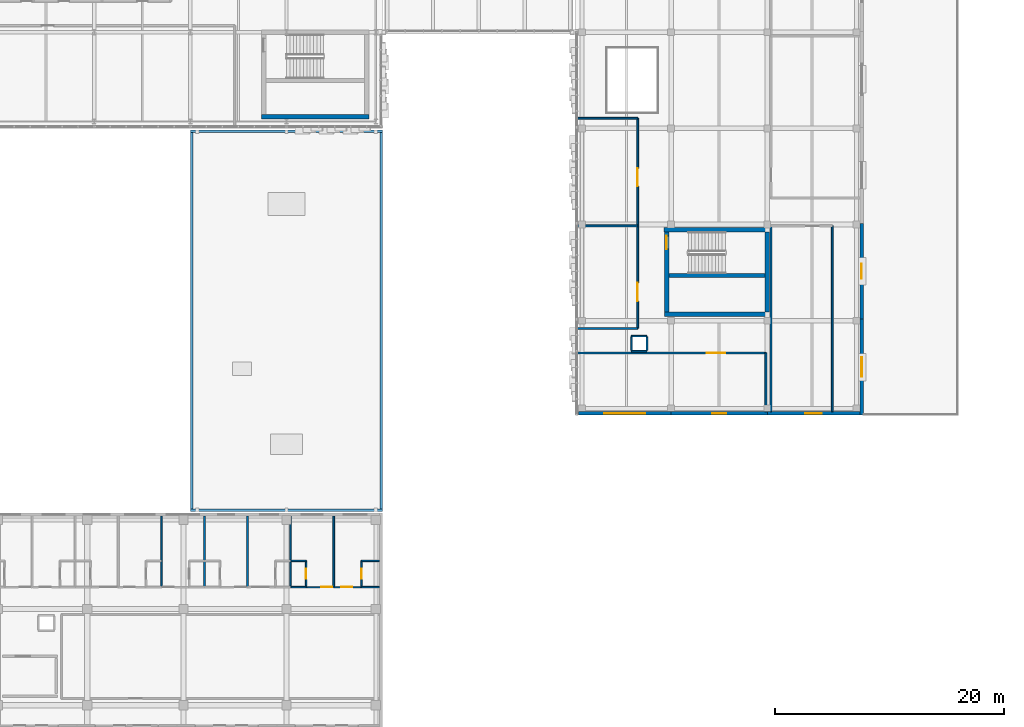
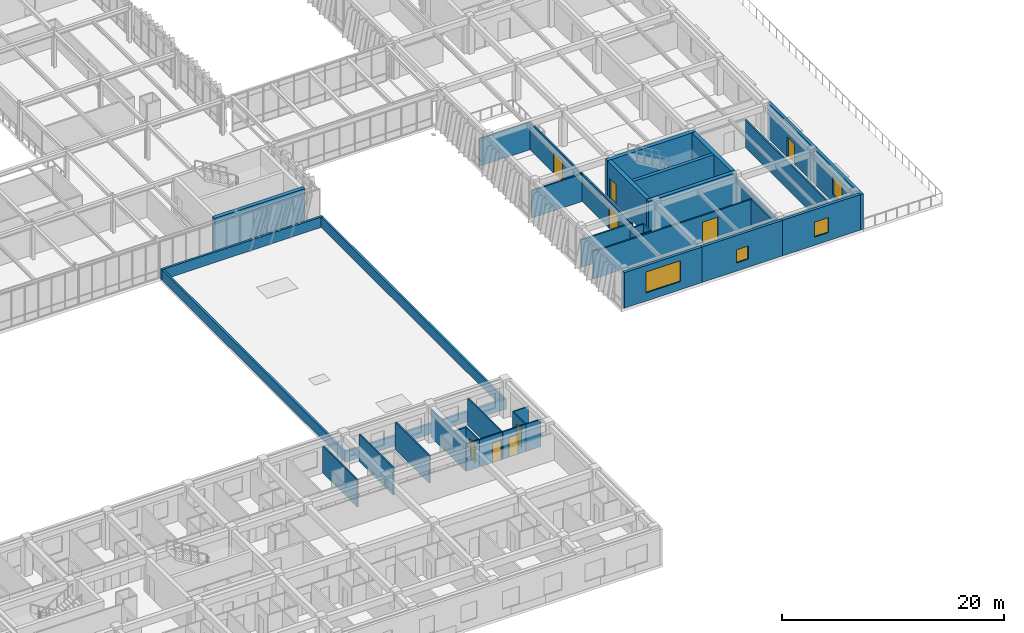
# One storey, part 104 of 127: 41 walls, 9 doors, 4 windows, 13 openings.
"""IFC4 building model written with IfcOpenShell, lengths in metres."""

from ifc_helpers import new_model, si_unit, direction, frame, frame_2d, origin, place, context, subcontext, project, spatial, rectangle, extrude, material, layer, layer_set, type_object, element, fill, save


model = new_model("IFC4")

# Units and contexts
model_context = context("Model", 3, precision=1e-05, world=origin(), true_north=direction((0.0, 1.0)))
body_context = subcontext(model_context, "Body", "Model", "MODEL_VIEW")
ifc_project = project(units=[si_unit("LENGTHUNIT", "METRE"), si_unit("AREAUNIT", "SQUARE_METRE"), si_unit("VOLUMEUNIT", "CUBIC_METRE"), si_unit("PLANEANGLEUNIT", "RADIAN"), si_unit("MASSUNIT", "GRAM", prefix="KILO")], contexts=[model_context])

# Site, building, storey
site_placement = place(None, origin())
site = spatial("IfcSite", under=ifc_project, at=site_placement, CompositionType="ELEMENT")
building_placement = place(site_placement, origin())
building = spatial("IfcBuilding", under=site, at=building_placement, Name="Zayran Congress Hotel", CompositionType="ELEMENT")
storey_placement = place(building_placement, frame((0.0, 0.0, 10.800048828125)))
storey = spatial("IfcBuildingStorey", under=building, at=storey_placement, Name="L02", CompositionType="ELEMENT", Elevation=10.800048828125)

# Wall, opening, window
ifc_material_1 = material(Name="Ajlun white limestone and insulated concrete C32/40", Category="masonry")
ifc_layer_1 = layer(ifc_material_1, 0.300048828125)
ifc_layer_set_1 = layer_set([ifc_layer_1], Name="Ajlun white limestone and insulated concrete C32/40")
wall_type_1 = type_object("IfcWallType", Name="WL-EX-300", PredefinedType="SOLIDWALL", material=ifc_layer_set_1)
wall_1_placement = place(storey_placement, frame((117.60009765625, 42.699951171875, 0.0), z_axis=(0.0, 0.0, 1.0), x_axis=(-1.0, 0.0, 0.0)))
wall_1 = element("IfcWall", 1, at=wall_1_placement, inside=storey, type_object=wall_type_1, Name="EW-V4-S-L02-0", PredefinedType="SOLIDWALL", context=body_context, shape_type="SweptSolid", body=[
    extrude(rectangle(XDim=8.10009765625, YDim=0.300048828125, at=frame_2d((4.050048828125, 0.0))), origin(), (0.0, 0.0, 1.0), 3.919921875),
])
opening_1_placement = place(wall_1_placement, frame((2.25, 0.0, 0.89990234375)))
opening_1 = element("IfcOpeningElement", 2, at=opening_1_placement, cuts=wall_1, Name="Opening WN-21", PredefinedType="OPENING", context=body_context, shape_type="SweptSolid", body=[
    extrude(rectangle(XDim=3.60009765625, YDim=2.300048828125, at=frame_2d((1.800048828125, 1.14990234375))), frame((0.0, 0.159912109375, 0.0), z_axis=(0.0, -1.0, 0.0), x_axis=(1.0, 0.0, 0.0)), (0.0, 0.0, 1.0), 0.320068359375),
])
ifc_material_2 = material(Name="Anodised aluminium and low-E insulated glass", Category="aluminium")
window_type_1 = type_object("IfcWindowType", Name="TP-WN-21", PartitioningType="TRIPLE_PANEL_VERTICAL", PredefinedType="WINDOW", material=ifc_material_2)
window_1_placement = place(opening_1_placement, origin())
window_1 = element("IfcWindow", 3, at=window_1_placement, inside=storey, type_object=window_type_1, Name="WIN-V4-0133", OverallHeight=2.300048828125, OverallWidth=3.60009765625, PartitioningType="SINGLE_PANEL", PredefinedType="WINDOW", context=body_context, shape_type="SweptSolid", body=[
    extrude(rectangle(XDim=3.60009765625, YDim=2.300048828125, at=frame_2d((1.800048828125, 1.14990234375))), frame((0.0, 0.030029296875, 0.0), z_axis=(0.0, -1.0, 0.0), x_axis=(1.0, 0.0, 0.0)), (0.0, 0.0, 1.0), 0.06005859375),
])
fill(opening_1, window_1)

wall_2_placement = place(storey_placement, frame((126.0, 42.699951171875, 0.0), z_axis=(0.0, 0.0, 1.0), x_axis=(-1.0, 0.0, 0.0)))
wall_2 = element("IfcWall", 4, at=wall_2_placement, inside=storey, type_object=wall_type_1, Name="EW-V4-S-L02-1", PredefinedType="SOLIDWALL", context=body_context, shape_type="SweptSolid", body=[
    extrude(rectangle(XDim=8.39990234375, YDim=0.300048828125, at=frame_2d((4.199951171875, 0.0))), origin(), (0.0, 0.0, 1.0), 3.919921875),
])
opening_2_placement = place(wall_2_placement, frame((3.574951171875, 0.0, 0.89990234375)))
opening_2 = element("IfcOpeningElement", 5, at=opening_2_placement, cuts=wall_2, Name="Opening WN-23", PredefinedType="OPENING", context=body_context, shape_type="SweptSolid", body=[
    extrude(rectangle(XDim=1.25, YDim=1.449951171875, at=frame_2d((0.625, 0.72509765625))), frame((0.0, 0.159912109375, 0.0), z_axis=(0.0, -1.0, 0.0), x_axis=(1.0, 0.0, 0.0)), (0.0, 0.0, 1.0), 0.320068359375),
])
window_type_2 = type_object("IfcWindowType", Name="TP-WN-23", PartitioningType="SINGLE_PANEL", PredefinedType="WINDOW", material=ifc_material_2)
window_2_placement = place(opening_2_placement, origin())
window_2 = element("IfcWindow", 6, at=window_2_placement, inside=storey, type_object=window_type_2, Name="WIN-V4-0135", OverallHeight=1.449951171875, OverallWidth=1.25, PartitioningType="SINGLE_PANEL", PredefinedType="WINDOW", context=body_context, shape_type="SweptSolid", body=[
    extrude(rectangle(XDim=1.25, YDim=1.449951171875, at=frame_2d((0.625, 0.72509765625))), frame((0.0, 0.030029296875, 0.0), z_axis=(0.0, -1.0, 0.0), x_axis=(1.0, 0.0, 0.0)), (0.0, 0.0, 1.0), 0.06005859375),
])
fill(opening_2, window_2)

wall_3_placement = place(storey_placement, frame((134.10009765625, 42.699951171875, 0.0), z_axis=(0.0, 0.0, 1.0), x_axis=(-1.0, 0.0, 0.0)))
wall_3 = element("IfcWall", 7, at=wall_3_placement, inside=storey, type_object=wall_type_1, Name="EW-V4-S-L02-2", PredefinedType="SOLIDWALL", context=body_context, shape_type="SweptSolid", body=[
    extrude(rectangle(XDim=8.10009765625, YDim=0.300048828125, at=frame_2d((4.050048828125, 0.0))), origin(), (0.0, 0.0, 1.0), 3.919921875),
])
opening_3_placement = place(wall_3_placement, frame((3.324951171875, 0.0, 0.89990234375)))
opening_3 = element("IfcOpeningElement", 8, at=opening_3_placement, cuts=wall_3, Name="Opening WN-25", PredefinedType="OPENING", context=body_context, shape_type="SweptSolid", body=[
    extrude(rectangle(XDim=1.449951171875, YDim=1.64990234375, at=frame_2d((0.72509765625, 0.824951171875))), frame((0.0, 0.159912109375, 0.0), z_axis=(0.0, -1.0, 0.0), x_axis=(1.0, 0.0, 0.0)), (0.0, 0.0, 1.0), 0.320068359375),
])
window_type_3 = type_object("IfcWindowType", Name="TP-WN-25", PartitioningType="SINGLE_PANEL", PredefinedType="WINDOW", material=ifc_material_2)
window_3_placement = place(opening_3_placement, origin())
window_3 = element("IfcWindow", 9, at=window_3_placement, inside=storey, type_object=window_type_3, Name="WIN-V4-0137", OverallHeight=1.64990234375, OverallWidth=1.449951171875, PartitioningType="SINGLE_PANEL", PredefinedType="WINDOW", context=body_context, shape_type="SweptSolid", body=[
    extrude(rectangle(XDim=1.449951171875, YDim=1.64990234375, at=frame_2d((0.72509765625, 0.824951171875))), frame((0.0, 0.030029296875, 0.0), z_axis=(0.0, -1.0, 0.0), x_axis=(1.0, 0.0, 0.0)), (0.0, 0.0, 1.0), 0.06005859375),
])
fill(opening_3, window_3)

wall_4_placement = place(storey_placement, frame((134.25, 50.930908203125, 0.0), z_axis=(0.0, 0.0, 1.0), x_axis=(0.0, -1.0, 0.0)))
wall_4 = element("IfcWall", 10, at=wall_4_placement, inside=storey, type_object=wall_type_1, Name="EW-V4-E-L02-0", PredefinedType="SOLIDWALL", context=body_context, shape_type="SweptSolid", body=[
    extrude(rectangle(XDim=8.380859375, YDim=0.300048828125, at=frame_2d((4.1904296875, 0.0))), origin(), (0.0, 0.0, 1.0), 3.919921875),
])
opening_4_placement = place(wall_4_placement, frame((3.341064453125, 0.0, 0.89990234375)))
opening_4 = element("IfcOpeningElement", 11, at=opening_4_placement, cuts=wall_4, Name="Opening WN-27", PredefinedType="OPENING", context=body_context, shape_type="SweptSolid", body=[
    extrude(rectangle(XDim=1.699951171875, YDim=2.0, at=frame_2d((0.85009765625, 1.0))), frame((0.0, 0.159912109375, 0.0), z_axis=(0.0, -1.0, 0.0), x_axis=(1.0, 0.0, 0.0)), (0.0, 0.0, 1.0), 0.320068359375),
])
window_type_4 = type_object("IfcWindowType", Name="TP-WN-27", PartitioningType="DOUBLE_PANEL_VERTICAL", PredefinedType="WINDOW", material=ifc_material_2)
window_4_placement = place(opening_4_placement, origin())
window_4 = element("IfcWindow", 12, at=window_4_placement, inside=storey, type_object=window_type_4, Name="WIN-V4-0139", OverallHeight=2.0, OverallWidth=1.699951171875, PartitioningType="SINGLE_PANEL", PredefinedType="WINDOW", context=body_context, shape_type="SweptSolid", body=[
    extrude(rectangle(XDim=1.699951171875, YDim=2.0, at=frame_2d((0.85009765625, 1.0))), frame((0.0, 0.030029296875, 0.0), z_axis=(0.0, -1.0, 0.0), x_axis=(1.0, 0.0, 0.0)), (0.0, 0.0, 1.0), 0.06005859375),
])
fill(opening_4, window_4)

# Wall, opening, door
wall_5_placement = place(storey_placement, frame((134.25, 59.31201171875, 0.0), z_axis=(0.0, 0.0, 1.0), x_axis=(0.0, -1.0, 0.0)))
wall_5 = element("IfcWall", 13, at=wall_5_placement, inside=storey, type_object=wall_type_1, Name="EW-V4-E-L02-1", PredefinedType="SOLIDWALL", context=body_context, shape_type="SweptSolid", body=[
    extrude(rectangle(XDim=8.381103515625, YDim=0.300048828125, at=frame_2d((4.1904296875, 0.0))), origin(), (0.0, 0.0, 1.0), 3.919921875),
])
opening_5_placement = place(wall_5_placement, frame((3.51611328125, 0.0, 0.0)))
opening_5 = element("IfcOpeningElement", 14, at=opening_5_placement, cuts=wall_5, Name="Opening DEX-05", PredefinedType="OPENING", context=body_context, shape_type="SweptSolid", body=[
    extrude(rectangle(XDim=1.35009765625, YDim=2.25, at=frame_2d((0.675048828125, 1.125))), frame((0.0, 0.159912109375, 0.0), z_axis=(0.0, -1.0, 0.0), x_axis=(1.0, 0.0, 0.0)), (0.0, 0.0, 1.0), 0.320068359375),
])
ifc_material_3 = material(Name="Anodised aluminium terrace door", Category="aluminium")
door_type_1 = type_object("IfcDoorType", Name="TP-DEX-05", OperationType="DOUBLE_DOOR_SINGLE_SWING", PredefinedType="DOOR", material=ifc_material_3)
door_1_placement = place(opening_5_placement, origin())
door_1 = element("IfcDoor", 15, at=door_1_placement, inside=storey, type_object=door_type_1, Name="V4 L02 Roof Terrace Door", OperationType="DOUBLE_DOOR_SINGLE_SWING", OverallHeight=2.25, OverallWidth=1.35009765625, PredefinedType="DOOR", context=body_context, shape_type="SweptSolid", body=[
    extrude(rectangle(XDim=1.35009765625, YDim=2.25, at=frame_2d((0.675048828125, 1.125))), frame((0.0, 0.02490234375, 0.0), z_axis=(0.0, -1.0, 0.0), x_axis=(1.0, 0.0, 0.0)), (0.0, 0.0, 1.0), 0.050048828125),
])
fill(opening_5, door_1)

# Walls
ifc_material_4 = material(Name="Concrete C32/40 with limestone coping", Category="masonry")
ifc_layer_2 = layer(ifc_material_4, 0.219970703125)
ifc_layer_set_2 = layer_set([ifc_layer_2], Name="Concrete C32/40 with limestone coping")
wall_type_2 = type_object("IfcWallType", Name="WL-PR-220", PredefinedType="PARAPET", material=ifc_layer_set_2)
for number, where, z_axis, x_axis, name in (
    (16, (75.60009765625, 34.260009765625, 0.0), (0.0, 0.0, 1.0), (1.0, 0.0, 0.0), "PAR-BR2-L02-S"),
    (17, (92.39990234375, 67.340087890625, 0.0), (0.0, 0.0, 1.0), (-1.0, 0.0, 0.0), "PAR-BR2-L02-N"),
):
    element("IfcWall", number, at=place(storey_placement, frame(where, z_axis=z_axis, x_axis=x_axis)), inside=storey, type_object=wall_type_2, Name=name, PredefinedType="PARAPET", context=body_context, shape_type="SweptSolid", body=[
        extrude(rectangle(XDim=16.7998046875, YDim=0.219970703125, at=frame_2d((8.39990234375, 0.0))), origin(), (0.0, 0.0, 1.0), 1.14990234375),
    ])
for number, where, z_axis, x_axis, name in (
    (18, (75.7099609375, 67.22998046875, 0.0), (0.0, 0.0, 1.0), (0.0, -1.0, 0.0), "PAR-BR2-L02-W"),
    (19, (92.2900390625, 34.3701171875, 0.0), (0.0, 0.0, 1.0), (0.0, 1.0, 0.0), "PAR-BR2-L02-E"),
):
    element("IfcWall", number, at=place(storey_placement, frame(where, z_axis=z_axis, x_axis=x_axis)), inside=storey, type_object=wall_type_2, Name=name, PredefinedType="PARAPET", context=body_context, shape_type="SweptSolid", body=[
        extrude(rectangle(XDim=32.85986328125, YDim=0.219970703125, at=frame_2d((16.429931640625, 0.0))), origin(), (0.0, 0.0, 1.0), 1.14990234375),
    ])
ifc_material_5 = material(Name="Concrete C40/50", Category="concrete")
ifc_layer_3 = layer(ifc_material_5, 0.39990234375)
ifc_layer_set_3 = layer_set([ifc_layer_3], Name="Concrete C40/50")
wall_type_3 = type_object("IfcWallType", Name="WL-SH-400", PredefinedType="SHEAR", material=ifc_layer_set_3)
wall_6_placement = place(storey_placement, frame((81.800048828125, 68.60009765625, 0.0), z_axis=(0.0, 0.0, 1.0), x_axis=(1.0, 0.0, 0.0)))
element("IfcWall", 20, at=wall_6_placement, inside=storey, type_object=wall_type_3, Name="CWALL-C-V1F-L02-S", PredefinedType="SHEAR", context=body_context, shape_type="SweptSolid", body=[
    extrude(rectangle(XDim=9.39990234375, YDim=0.39990234375, at=frame_2d((4.699951171875, 0.0))), origin(), (0.0, 0.0, 1.0), 3.919921875),
])
for number, where, z_axis, x_axis, name in (
    (21, (117.0, 51.35009765625, 0.0), (0.0, 0.0, 1.0), (1.0, 0.0, 0.0), "CWALL-C-V4S-L02-S"),
    (22, (126.199951171875, 58.735107421875, 0.0), (0.0, 0.0, 1.0), (-1.0, 0.0, 0.0), "CWALL-C-V4S-L02-N"),
):
    element("IfcWall", number, at=place(storey_placement, frame(where, z_axis=z_axis, x_axis=x_axis)), inside=storey, type_object=wall_type_3, Name=name, PredefinedType="SHEAR", context=body_context, shape_type="SweptSolid", body=[
        extrude(rectangle(XDim=9.199951171875, YDim=0.39990234375, at=frame_2d((4.60009765625, 0.0))), origin(), (0.0, 0.0, 1.0), 3.919921875),
    ])

# Wall, opening, door
wall_7_placement = place(storey_placement, frame((117.199951171875, 58.550048828125, 0.0), z_axis=(0.0, 0.0, 1.0), x_axis=(0.0, -1.0, 0.0)))
wall_7 = element("IfcWall", 23, at=wall_7_placement, inside=storey, type_object=wall_type_3, Name="CWALL-C-V4S-L02-W", PredefinedType="SHEAR", context=body_context, shape_type="SweptSolid", body=[
    extrude(rectangle(XDim=7.0, YDim=0.39990234375, at=frame_2d((3.5, 0.0))), origin(), (0.0, 0.0, 1.0), 3.919921875),
])
opening_6_placement = place(wall_7_placement, frame((0.35009765625, 0.0, 0.0)))
opening_6 = element("IfcOpeningElement", 24, at=opening_6_placement, cuts=wall_7, Name="Opening DR-FD-90", PredefinedType="OPENING", context=body_context, shape_type="SweptSolid", body=[
    extrude(rectangle(XDim=1.14990234375, YDim=2.199951171875, at=frame_2d((0.574951171875, 1.10009765625))), frame((0.0, 0.2099609375, 0.0), z_axis=(0.0, -1.0, 0.0), x_axis=(1.0, 0.0, 0.0)), (0.0, 0.0, 1.0), 0.419921875),
])
ifc_material_6 = material(Name="Painted steel fire door assembly", Category="steel")
door_type_2 = type_object("IfcDoorType", Name="TP-DR-FD-90", OperationType="NOTDEFINED", PredefinedType="DOOR", material=ifc_material_6)
door_2_placement = place(opening_6_placement, origin())
door_2 = element("IfcDoor", 25, at=door_2_placement, inside=storey, type_object=door_type_2, Name="ST-08 Exit Stair Door L02", OperationType="SINGLE_SWING_LEFT", OverallHeight=2.199951171875, OverallWidth=1.14990234375, PredefinedType="DOOR", context=body_context, shape_type="SweptSolid", body=[
    extrude(rectangle(XDim=1.14990234375, YDim=2.199951171875, at=frame_2d((0.574951171875, 1.10009765625))), frame((0.0, 0.02490234375, 0.0), z_axis=(0.0, -1.0, 0.0), x_axis=(1.0, 0.0, 0.0)), (0.0, 0.0, 1.0), 0.050048828125),
])
fill(opening_6, door_2)

# Walls
wall_8_placement = place(storey_placement, frame((126.0, 51.550048828125, 0.0), z_axis=(0.0, 0.0, 1.0), x_axis=(0.0, 1.0, 0.0)))
element("IfcWall", 26, at=wall_8_placement, inside=storey, type_object=wall_type_3, Name="CWALL-C-V4S-L02-E", PredefinedType="SHEAR", context=body_context, shape_type="SweptSolid", body=[
    extrude(rectangle(XDim=7.0, YDim=0.39990234375, at=frame_2d((3.5, 0.0))), origin(), (0.0, 0.0, 1.0), 3.919921875),
])
ifc_layer_4 = layer(ifc_material_5, 0.35009765625)
ifc_layer_set_4 = layer_set([ifc_layer_4], Name="Concrete C40/50")
wall_type_4 = type_object("IfcWallType", Name="WL-SH-350", PredefinedType="SHEAR", material=ifc_layer_set_4)
wall_9_placement = place(storey_placement, frame((117.39990234375, 54.735107421875, 0.0), z_axis=(0.0, 0.0, 1.0), x_axis=(1.0, 0.0, 0.0)))
element("IfcWall", 27, at=wall_9_placement, inside=storey, type_object=wall_type_4, Name="CWALL-C-V4S-L02-SPN", PredefinedType="SHEAR", context=body_context, shape_type="SweptSolid", body=[
    extrude(rectangle(XDim=8.400146484375, YDim=0.35009765625, at=frame_2d((4.2001953125, 0.0))), origin(), (0.0, 0.0, 1.0), 3.919921875),
])

# Wall, opening, door
ifc_material_7 = material(Name="Acoustic twin-stud gypsum partition", Category="gypsum")
ifc_layer_5 = layer(ifc_material_7, 0.159912109375)
ifc_layer_set_5 = layer_set([ifc_layer_5], Name="Acoustic twin-stud gypsum partition")
wall_type_5 = type_object("IfcWallType", Name="WL-PT-160", PredefinedType="PARTITIONING", material=ifc_layer_set_5)
wall_10_placement = place(storey_placement, frame((109.360107421875, 47.97998046875, 0.0), z_axis=(0.0, 0.0, 1.0), x_axis=(1.0, 0.0, 0.0)))
wall_10 = element("IfcWall", 28, at=wall_10_placement, inside=storey, type_object=wall_type_5, Name="IW-L02-0503", PredefinedType="PARTITIONING", context=body_context, shape_type="SweptSolid", body=[
    extrude(rectangle(XDim=16.519775390625, YDim=0.159912109375, at=frame_2d((8.259765625, 0.0))), origin(), (0.0, 0.0, 1.0), 3.02001953125),
])
opening_7_placement = place(wall_10_placement, frame((11.368896484375, 0.0, 0.0)))
opening_7 = element("IfcOpeningElement", 29, at=opening_7_placement, cuts=wall_10, Name="Opening DR-MT-02", PredefinedType="OPENING", context=body_context, shape_type="SweptSolid", body=[
    extrude(rectangle(XDim=1.60009765625, YDim=2.300048828125, at=frame_2d((0.800048828125, 1.14990234375))), frame((0.0, 0.08984375, 0.0), z_axis=(0.0, -1.0, 0.0), x_axis=(1.0, 0.0, 0.0)), (0.0, 0.0, 1.0), 0.179931640625),
])
ifc_material_8 = material(Name="Double acoustic timber boardroom door", Category="wood")
door_type_3 = type_object("IfcDoorType", Name="TP-DR-MT-02", OperationType="DOUBLE_DOOR_SINGLE_SWING", PredefinedType="DOOR", material=ifc_material_8)
door_3_placement = place(opening_7_placement, origin())
door_3 = element("IfcDoor", 30, at=door_3_placement, inside=storey, type_object=door_type_3, Name="Boardroom L02-01 Door", OperationType="DOUBLE_DOOR_SINGLE_SWING", OverallHeight=2.300048828125, OverallWidth=1.60009765625, PredefinedType="DOOR", context=body_context, shape_type="SweptSolid", body=[
    extrude(rectangle(XDim=1.60009765625, YDim=2.300048828125, at=frame_2d((0.800048828125, 1.14990234375))), frame((0.0, 0.02490234375, 0.0), z_axis=(0.0, -1.0, 0.0), x_axis=(1.0, 0.0, 0.0)), (0.0, 0.0, 1.0), 0.050048828125),
])
fill(opening_7, door_3)

wall_11_placement = place(storey_placement, frame((114.679931640625, 50.1201171875, 0.0), z_axis=(0.0, 0.0, 1.0), x_axis=(0.0, 1.0, 0.0)))
wall_11 = element("IfcWall", 31, at=wall_11_placement, inside=storey, type_object=wall_type_5, Name="IW-L02-0504", PredefinedType="PARTITIONING", context=body_context, shape_type="SweptSolid", body=[
    extrude(rectangle(XDim=8.9599609375, YDim=0.159912109375, at=frame_2d((4.47998046875, 0.0))), origin(), (0.0, 0.0, 1.0), 3.02001953125),
])
opening_8_placement = place(wall_11_placement, frame((2.3798828125, 0.0, 0.0)))
opening_8 = element("IfcOpeningElement", 32, at=opening_8_placement, cuts=wall_11, Name="Opening DR-MT-02", PredefinedType="OPENING", context=body_context, shape_type="SweptSolid", body=[
    extrude(rectangle(XDim=1.60009765625, YDim=2.300048828125, at=frame_2d((0.800048828125, 1.14990234375))), frame((0.0, 0.08984375, 0.0), z_axis=(0.0, -1.0, 0.0), x_axis=(1.0, 0.0, 0.0)), (0.0, 0.0, 1.0), 0.179931640625),
])
door_4_placement = place(opening_8_placement, origin())
door_4 = element("IfcDoor", 33, at=door_4_placement, inside=storey, type_object=door_type_3, Name="Boardroom L02-02 Door", OperationType="DOUBLE_DOOR_SINGLE_SWING", OverallHeight=2.300048828125, OverallWidth=1.60009765625, PredefinedType="DOOR", context=body_context, shape_type="SweptSolid", body=[
    extrude(rectangle(XDim=1.60009765625, YDim=2.300048828125, at=frame_2d((0.800048828125, 1.14990234375))), frame((0.0, 0.02490234375, 0.0), z_axis=(0.0, -1.0, 0.0), x_axis=(1.0, 0.0, 0.0)), (0.0, 0.0, 1.0), 0.050048828125),
])
fill(opening_8, door_4)

wall_12_placement = place(storey_placement, frame((114.679931640625, 59.1201171875, 0.0), z_axis=(0.0, 0.0, 1.0), x_axis=(0.0, 1.0, 0.0)))
wall_12 = element("IfcWall", 34, at=wall_12_placement, inside=storey, type_object=wall_type_5, Name="IW-L02-0506", PredefinedType="PARTITIONING", context=body_context, shape_type="SweptSolid", body=[
    extrude(rectangle(XDim=9.35986328125, YDim=0.159912109375, at=frame_2d((4.679931640625, 0.0))), origin(), (0.0, 0.0, 1.0), 3.02001953125),
])
opening_9_placement = place(wall_12_placement, frame((3.412109375, 0.0, 0.0)))
opening_9 = element("IfcOpeningElement", 35, at=opening_9_placement, cuts=wall_12, Name="Opening DR-MT-02", PredefinedType="OPENING", context=body_context, shape_type="SweptSolid", body=[
    extrude(rectangle(XDim=1.60009765625, YDim=2.300048828125, at=frame_2d((0.800048828125, 1.14990234375))), frame((0.0, 0.08984375, 0.0), z_axis=(0.0, -1.0, 0.0), x_axis=(1.0, 0.0, 0.0)), (0.0, 0.0, 1.0), 0.179931640625),
])
door_5_placement = place(opening_9_placement, origin())
door_5 = element("IfcDoor", 36, at=door_5_placement, inside=storey, type_object=door_type_3, Name="Boardroom L02-03 Door", OperationType="DOUBLE_DOOR_SINGLE_SWING", OverallHeight=2.300048828125, OverallWidth=1.60009765625, PredefinedType="DOOR", context=body_context, shape_type="SweptSolid", body=[
    extrude(rectangle(XDim=1.60009765625, YDim=2.300048828125, at=frame_2d((0.800048828125, 1.14990234375))), frame((0.0, 0.02490234375, 0.0), z_axis=(0.0, -1.0, 0.0), x_axis=(1.0, 0.0, 0.0)), (0.0, 0.0, 1.0), 0.050048828125),
])
fill(opening_9, door_5)

# Walls
wall_13_placement = place(storey_placement, frame((125.8798828125, 42.85009765625, 0.0), z_axis=(0.0, 0.0, 1.0), x_axis=(0.0, 1.0, 0.0)))
element("IfcWall", 37, at=wall_13_placement, inside=storey, type_object=wall_type_5, Name="IW-L02-1812", PredefinedType="PARTITIONING", context=body_context, shape_type="SweptSolid", body=[
    extrude(rectangle(XDim=5.1298828125, YDim=0.159912109375, at=frame_2d((2.56494140625, 0.0))), origin(), (0.0, 0.0, 1.0), 3.02001953125),
])
for number, where, z_axis, x_axis, name in (
    (38, (109.360107421875, 50.1201171875, 0.0), (0.0, 0.0, 1.0), (1.0, 0.0, 0.0), "IW-L02-1813"),
    (39, (109.360107421875, 59.080078125, 0.0), (0.0, 0.0, 1.0), (1.0, 0.0, 0.0), "IW-L02-1814"),
):
    element("IfcWall", number, at=place(storey_placement, frame(where, z_axis=z_axis, x_axis=x_axis)), inside=storey, type_object=wall_type_5, Name=name, PredefinedType="PARTITIONING", context=body_context, shape_type="SweptSolid", body=[
        extrude(rectangle(XDim=5.31982421875, YDim=0.159912109375, at=frame_2d((2.659912109375, 0.0))), origin(), (0.0, 0.0, 1.0), 3.02001953125),
    ])
for number, where, z_axis, x_axis, name in (
    (40, (126.320068359375, 42.85009765625, 0.0), (0.0, 0.0, 1.0), (0.0, 1.0, 0.0), "IW-L02-1815"),
    (41, (131.679931640625, 42.85009765625, 0.0), (0.0, 0.0, 1.0), (0.0, 1.0, 0.0), "IW-L02-1816"),
):
    element("IfcWall", number, at=place(storey_placement, frame(where, z_axis=z_axis, x_axis=x_axis)), inside=storey, type_object=wall_type_5, Name=name, PredefinedType="PARTITIONING", context=body_context, shape_type="SweptSolid", body=[
        extrude(rectangle(XDim=16.22998046875, YDim=0.159912109375, at=frame_2d((8.114990234375, 0.0))), origin(), (0.0, 0.0, 1.0), 3.02001953125),
    ])
wall_14_placement = place(storey_placement, frame((109.360107421875, 68.47998046875, 0.0), z_axis=(0.0, 0.0, 1.0), x_axis=(1.0, 0.0, 0.0)))
element("IfcWall", 42, at=wall_14_placement, inside=storey, type_object=wall_type_5, Name="IW-L02-1817", PredefinedType="PARTITIONING", context=body_context, shape_type="SweptSolid", body=[
    extrude(rectangle(XDim=5.31982421875, YDim=0.159912109375, at=frame_2d((2.659912109375, 0.0))), origin(), (0.0, 0.0, 1.0), 3.02001953125),
])

# Wall, opening, door
ifc_material_9 = material(Name="Hospitality guestroom acoustic partition", Category="gypsum")
ifc_layer_6 = layer(ifc_material_9, 0.139892578125)
ifc_layer_set_6 = layer_set([ifc_layer_6], Name="Hospitality guestroom acoustic partition")
wall_type_6 = type_object("IfcWallType", Name="WL-PT-140", PredefinedType="PARTITIONING", material=ifc_layer_set_6)
wall_15_placement = place(storey_placement, frame((85.7109375, 27.530029296875, 0.0), z_axis=(0.0, 0.0, 1.0), x_axis=(1.0, 0.0, 0.0)))
wall_15 = element("IfcWall", 43, at=wall_15_placement, inside=storey, type_object=wall_type_6, Name="IW-L02-0554", PredefinedType="PARTITIONING", context=body_context, shape_type="SweptSolid", body=[
    extrude(rectangle(XDim=2.4150390625, YDim=0.139892578125, at=frame_2d((1.20751953125, 0.0))), origin(), (0.0, 0.0, 1.0), 3.02001953125),
])
opening_10_placement = place(wall_15_placement, frame((1.3349609375, 0.0, 0.0)))
opening_10 = element("IfcOpeningElement", 44, at=opening_10_placement, cuts=wall_15, Name="Opening DR-GR-01", PredefinedType="OPENING", context=body_context, shape_type="SweptSolid", body=[
    extrude(rectangle(XDim=0.93994140625, YDim=2.199951171875, at=frame_2d((0.469970703125, 1.10009765625))), frame((0.0, 0.079833984375, 0.0), z_axis=(0.0, -1.0, 0.0), x_axis=(1.0, 0.0, 0.0)), (0.0, 0.0, 1.0), 0.159912109375),
])
ifc_material_10 = material(Name="Acoustic walnut veneer fire-rated entry door", Category="wood")
door_type_4 = type_object("IfcDoorType", Name="TP-DR-GR-01", OperationType="NOTDEFINED", PredefinedType="DOOR", material=ifc_material_10)
door_6_placement = place(opening_10_placement, origin())
door_6 = element("IfcDoor", 45, at=door_6_placement, inside=storey, type_object=door_type_4, Name="Guest Room L02-37 Door", OperationType="SINGLE_SWING_LEFT", OverallHeight=2.199951171875, OverallWidth=0.93994140625, PredefinedType="DOOR", context=body_context, shape_type="SweptSolid", body=[
    extrude(rectangle(XDim=0.93994140625, YDim=2.199951171875, at=frame_2d((0.469970703125, 1.10009765625))), frame((0.0, 0.02490234375, 0.0), z_axis=(0.0, -1.0, 0.0), x_axis=(1.0, 0.0, 0.0)), (0.0, 0.0, 1.0), 0.050048828125),
])
fill(opening_10, door_6)

wall_16_placement = place(storey_placement, frame((88.14599609375, 27.530029296875, 0.0), z_axis=(0.0, 0.0, 1.0), x_axis=(1.0, 0.0, 0.0)))
wall_16 = element("IfcWall", 46, at=wall_16_placement, inside=storey, type_object=wall_type_6, Name="IW-L02-0555", PredefinedType="PARTITIONING", context=body_context, shape_type="SweptSolid", body=[
    extrude(rectangle(XDim=2.4150390625, YDim=0.139892578125, at=frame_2d((1.20751953125, 0.0))), origin(), (0.0, 0.0, 1.0), 3.02001953125),
])
opening_11_placement = place(wall_16_placement, frame((0.652099609375, 0.0, 0.0)))
opening_11 = element("IfcOpeningElement", 47, at=opening_11_placement, cuts=wall_16, Name="Opening DR-GR-01", PredefinedType="OPENING", context=body_context, shape_type="SweptSolid", body=[
    extrude(rectangle(XDim=0.93994140625, YDim=2.199951171875, at=frame_2d((0.469970703125, 1.10009765625))), frame((0.0, 0.079833984375, 0.0), z_axis=(0.0, -1.0, 0.0), x_axis=(1.0, 0.0, 0.0)), (0.0, 0.0, 1.0), 0.159912109375),
])
door_7_placement = place(opening_11_placement, origin())
door_7 = element("IfcDoor", 48, at=door_7_placement, inside=storey, type_object=door_type_4, Name="Guest Room L02-38 Door", OperationType="SINGLE_SWING_RIGHT", OverallHeight=2.199951171875, OverallWidth=0.93994140625, PredefinedType="DOOR", context=body_context, shape_type="SweptSolid", body=[
    extrude(rectangle(XDim=0.93994140625, YDim=2.199951171875, at=frame_2d((0.469970703125, 1.10009765625))), frame((0.0, 0.02490234375, 0.0), z_axis=(0.0, -1.0, 0.0), x_axis=(1.0, 0.0, 0.0)), (0.0, 0.0, 1.0), 0.050048828125),
])
fill(opening_11, door_7)

# Walls
for number, where, z_axis, x_axis, name in (
    (49, (73.069091796875, 27.52001953125, 0.0), (0.0, 0.0, 1.0), (0.0, 1.0, 0.0), "IW-L02-1865"),
    (50, (76.8330078125, 27.52001953125, 0.0), (0.0, 0.0, 1.0), (0.0, 1.0, 0.0), "IW-L02-1866"),
    (51, (80.596923828125, 27.52001953125, 0.0), (0.0, 0.0, 1.0), (0.0, 1.0, 0.0), "IW-L02-1867"),
    (52, (84.362060546875, 27.52001953125, 0.0), (0.0, 0.0, 1.0), (0.0, 1.0, 0.0), "IW-L02-1868"),
    (53, (88.1259765625, 27.52001953125, 0.0), (0.0, 0.0, 1.0), (0.0, 1.0, 0.0), "IW-L02-1869"),
):
    element("IfcWall", number, at=place(storey_placement, frame(where, z_axis=z_axis, x_axis=x_axis)), inside=storey, type_object=wall_type_6, Name=name, PredefinedType="PARTITIONING", context=body_context, shape_type="SweptSolid", body=[
        extrude(rectangle(XDim=6.199951171875, YDim=0.139892578125, at=frame_2d((3.10009765625, 0.0))), origin(), (0.0, 0.0, 1.0), 3.02001953125),
    ])
for number, where, z_axis, x_axis, name in (
    (54, (114.1298828125, 48.1298828125, 0.0), (0.0, 0.0, 1.0), (1.0, 0.0, 0.0), "RSWL-V4-L02-019-S"),
    (55, (115.489990234375, 49.449951171875, 0.0), (0.0, 0.0, 1.0), (-1.0, 0.0, 0.0), "RSWL-V4-L02-019-N"),
):
    element("IfcWall", number, at=place(storey_placement, frame(where, z_axis=z_axis, x_axis=x_axis)), inside=storey, type_object=wall_type_6, Name=name, PredefinedType="PARTITIONING", context=body_context, shape_type="SweptSolid", body=[
        extrude(rectangle(XDim=1.360107421875, YDim=0.139892578125, at=frame_2d((0.68017578125, 0.0))), origin(), (0.0, 0.0, 1.0), 3.0400390625),
    ])
for number, where, z_axis, x_axis, name in (
    (56, (114.1298828125, 49.3798828125, 0.0), (0.0, 0.0, 1.0), (0.0, -1.0, 0.0), "RSWL-V4-L02-019-W"),
    (57, (115.489990234375, 48.199951171875, 0.0), (0.0, 0.0, 1.0), (0.0, 1.0, 0.0), "RSWL-V4-L02-019-E"),
):
    element("IfcWall", number, at=place(storey_placement, frame(where, z_axis=z_axis, x_axis=x_axis)), inside=storey, type_object=wall_type_6, Name=name, PredefinedType="PARTITIONING", context=body_context, shape_type="SweptSolid", body=[
        extrude(rectangle(XDim=1.179931640625, YDim=0.139892578125, at=frame_2d((0.58984375, 0.0))), origin(), (0.0, 0.0, 1.0), 3.0400390625),
    ])

# Wall, opening, door
ifc_material_11 = material(Name="Moisture-resistant bathroom partition", Category="gypsum")
ifc_layer_7 = layer(ifc_material_11, 0.1201171875)
ifc_layer_set_7 = layer_set([ifc_layer_7], Name="Moisture-resistant bathroom partition")
wall_type_7 = type_object("IfcWallType", Name="WL-PT-120", PredefinedType="PARTITIONING", material=ifc_layer_set_7)
wall_17_placement = place(storey_placement, frame((85.7109375, 27.52001953125, 0.0), z_axis=(0.0, 0.0, 1.0), x_axis=(0.0, 1.0, 0.0)))
wall_17 = element("IfcWall", 58, at=wall_17_placement, inside=storey, type_object=wall_type_7, Name="IW-L02-0089", PredefinedType="PARTITIONING", context=body_context, shape_type="SweptSolid", body=[
    extrude(rectangle(XDim=2.31005859375, YDim=0.1201171875, at=frame_2d((1.155029296875, 0.0))), origin(), (0.0, 0.0, 1.0), 3.02001953125),
])
opening_12_placement = place(wall_17_placement, frame((0.715087890625, 0.0, 0.0)))
opening_12 = element("IfcOpeningElement", 59, at=opening_12_placement, cuts=wall_17, Name="Opening DR-BT-01", PredefinedType="OPENING", context=body_context, shape_type="SweptSolid", body=[
    extrude(rectangle(XDim=0.8798828125, YDim=2.14990234375, at=frame_2d((0.43994140625, 1.074951171875))), frame((0.0, 0.070068359375, 0.0), z_axis=(0.0, -1.0, 0.0), x_axis=(1.0, 0.0, 0.0)), (0.0, 0.0, 1.0), 0.14013671875),
])
ifc_material_12 = material(Name="Moisture-resistant oak en-suite door", Category="wood")
door_type_5 = type_object("IfcDoorType", Name="TP-DR-BT-01", OperationType="NOTDEFINED", PredefinedType="DOOR", material=ifc_material_12)
door_8_placement = place(opening_12_placement, origin())
door_8 = element("IfcDoor", 60, at=door_8_placement, inside=storey, type_object=door_type_5, Name="En-Suite Bathroom L02-37 Door", OperationType="SINGLE_SWING_RIGHT", OverallHeight=2.14990234375, OverallWidth=0.8798828125, PredefinedType="DOOR", context=body_context, shape_type="SweptSolid", body=[
    extrude(rectangle(XDim=0.8798828125, YDim=2.14990234375, at=frame_2d((0.43994140625, 1.074951171875))), frame((0.0, 0.02490234375, 0.0), z_axis=(0.0, -1.0, 0.0), x_axis=(1.0, 0.0, 0.0)), (0.0, 0.0, 1.0), 0.050048828125),
])
fill(opening_12, door_8)

wall_18_placement = place(storey_placement, frame((90.56103515625, 27.52001953125, 0.0), z_axis=(0.0, 0.0, 1.0), x_axis=(0.0, 1.0, 0.0)))
wall_18 = element("IfcWall", 61, at=wall_18_placement, inside=storey, type_object=wall_type_7, Name="IW-L02-0090", PredefinedType="PARTITIONING", context=body_context, shape_type="SweptSolid", body=[
    extrude(rectangle(XDim=2.31005859375, YDim=0.1201171875, at=frame_2d((1.155029296875, 0.0))), origin(), (0.0, 0.0, 1.0), 3.02001953125),
])
opening_13_placement = place(wall_18_placement, frame((0.715087890625, 0.0, 0.0)))
opening_13 = element("IfcOpeningElement", 62, at=opening_13_placement, cuts=wall_18, Name="Opening DR-BT-01", PredefinedType="OPENING", context=body_context, shape_type="SweptSolid", body=[
    extrude(rectangle(XDim=0.8798828125, YDim=2.14990234375, at=frame_2d((0.43994140625, 1.074951171875))), frame((0.0, 0.070068359375, 0.0), z_axis=(0.0, -1.0, 0.0), x_axis=(1.0, 0.0, 0.0)), (0.0, 0.0, 1.0), 0.14013671875),
])
door_9_placement = place(opening_13_placement, origin())
door_9 = element("IfcDoor", 63, at=door_9_placement, inside=storey, type_object=door_type_5, Name="En-Suite Bathroom L02-38 Door", OperationType="SINGLE_SWING_LEFT", OverallHeight=2.14990234375, OverallWidth=0.8798828125, PredefinedType="DOOR", context=body_context, shape_type="SweptSolid", body=[
    extrude(rectangle(XDim=0.8798828125, YDim=2.14990234375, at=frame_2d((0.43994140625, 1.074951171875))), frame((0.0, 0.02490234375, 0.0), z_axis=(0.0, -1.0, 0.0), x_axis=(1.0, 0.0, 0.0)), (0.0, 0.0, 1.0), 0.050048828125),
])
fill(opening_13, door_9)

# Walls
for number, where, z_axis, x_axis, name in (
    (64, (84.3720703125, 27.530029296875, 0.0), (0.0, 0.0, 1.0), (1.0, 0.0, 0.0), "IW-L02-1045"),
    (65, (84.3720703125, 29.820068359375, 0.0), (0.0, 0.0, 1.0), (1.0, 0.0, 0.0), "IW-L02-1046"),
):
    element("IfcWall", number, at=place(storey_placement, frame(where, z_axis=z_axis, x_axis=x_axis)), inside=storey, type_object=wall_type_7, Name=name, PredefinedType="PARTITIONING", context=body_context, shape_type="SweptSolid", body=[
        extrude(rectangle(XDim=1.348876953125, YDim=0.1201171875, at=frame_2d((0.67431640625, 0.0))), origin(), (0.0, 0.0, 1.0), 3.02001953125),
    ])
for number, where, z_axis, x_axis, name in (
    (66, (90.551025390625, 27.530029296875, 0.0), (0.0, 0.0, 1.0), (1.0, 0.0, 0.0), "IW-L02-1047"),
    (67, (90.551025390625, 29.820068359375, 0.0), (0.0, 0.0, 1.0), (1.0, 0.0, 0.0), "IW-L02-1048"),
):
    element("IfcWall", number, at=place(storey_placement, frame(where, z_axis=z_axis, x_axis=x_axis)), inside=storey, type_object=wall_type_7, Name=name, PredefinedType="PARTITIONING", context=body_context, shape_type="SweptSolid", body=[
        extrude(rectangle(XDim=1.569091796875, YDim=0.1201171875, at=frame_2d((0.78466796875, 0.0))), origin(), (0.0, 0.0, 1.0), 3.02001953125),
    ])

save(model, "model.ifc")
